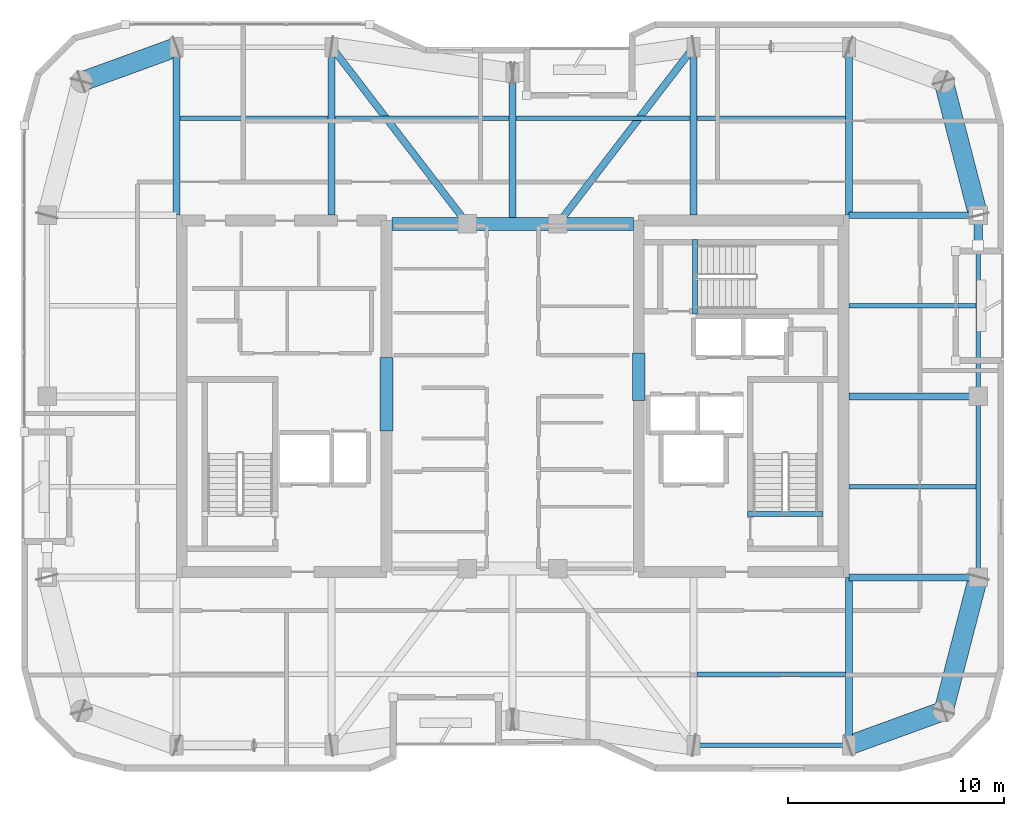
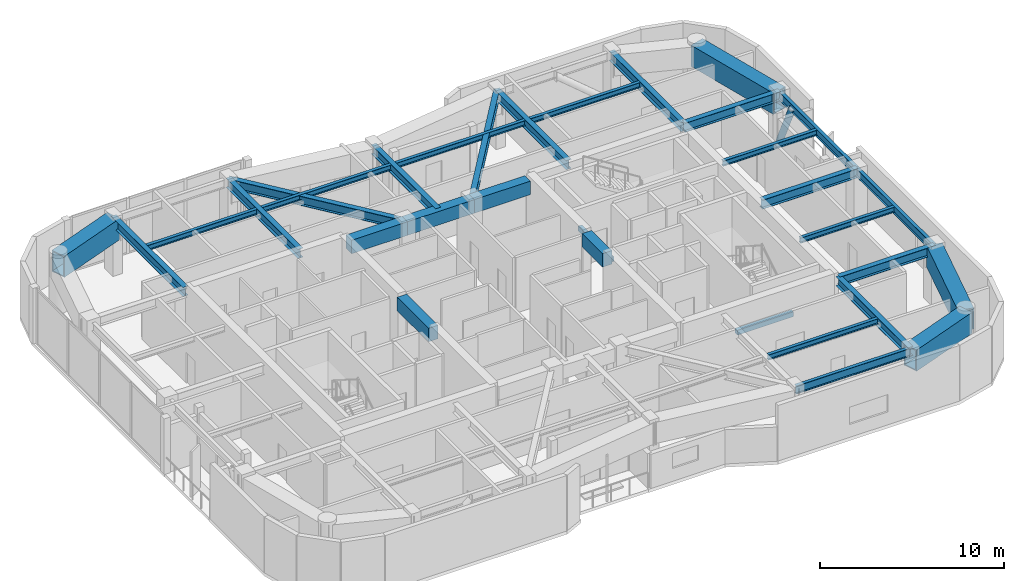
# One storey, part 5 of 16: 32 beams, 1 member.
"""IFC4 building model written with IfcOpenShell, lengths in metres."""

from ifc_helpers import new_model, si_unit, direction, frame, origin, origin_2d, place, context, subcontext, project, spatial, rectangle, hollow_rectangle, hollow_circle, i_section, extrude, material, material_profile, profile_set, type_object, element, save


model = new_model("IFC4")

# Units and contexts
model_context = context("Model", 3, precision=1e-05, world=origin(), true_north=direction((0.0, 1.0)))
body_context = subcontext(model_context, "Body", "Model", "MODEL_VIEW")
ifc_project = project(units=[si_unit("LENGTHUNIT", "METRE"), si_unit("AREAUNIT", "SQUARE_METRE"), si_unit("VOLUMEUNIT", "CUBIC_METRE"), si_unit("PLANEANGLEUNIT", "RADIAN"), si_unit("MASSUNIT", "GRAM", prefix="KILO")], contexts=[model_context])

# Site, building, storey
site_placement = place(None, origin())
site = spatial("IfcSite", under=ifc_project, at=site_placement, CompositionType="ELEMENT")
building_placement = place(site_placement, origin())
building = spatial("IfcBuilding", under=site, at=building_placement, Name="Kiyonajd Concourse Tower", CompositionType="ELEMENT")
storey_placement = place(building_placement, frame((0.0, 0.0, 325.800048828125)))
storey = spatial("IfcBuildingStorey", under=building, at=storey_placement, Name="L82", CompositionType="ELEMENT", Elevation=325.800048828125)

# Beams
ifc_material_1 = material(Name="Concrete C60/75", Category="concrete")
ifc_material_profile_1 = material_profile(ifc_material_1, rectangle(XDim=0.60009765625, YDim=0.89990234375, at=origin_2d()), Name="RCBM-600x900")
ifc_profile_set_1 = profile_set([ifc_material_profile_1], Name="Concrete C60/75")
beam_type_1 = type_object("IfcBeamType", Name="BM-COUP-900", PredefinedType="LINTEL", material=ifc_profile_set_1)
beam_1_placement = place(storey_placement, frame((42.39990234375, 44.0, 3.22998046875), z_axis=(1.0, 0.0, 0.0), x_axis=(0.0, 1.0, 0.0)))
element("IfcBeam", 1, at=beam_1_placement, inside=storey, type_object=beam_type_1, Name="L82 Core Coupling Beam N1", PredefinedType="LINTEL", context=body_context, shape_type="SweptSolid", body=[
    extrude(rectangle(XDim=0.60009765625, YDim=0.89990234375, at=origin_2d()), origin(), (0.0, 0.0, 1.0), 3.5),
])
beam_2_placement = place(storey_placement, frame((45.89990234375, 44.0, 3.22998046875), z_axis=(1.0, 0.0, 0.0), x_axis=(0.0, 1.0, 0.0)))
element("IfcBeam", 2, at=beam_2_placement, inside=storey, type_object=beam_type_1, Name="L82 Core Coupling Beam N2", PredefinedType="LINTEL", context=body_context, shape_type="SweptSolid", body=[
    extrude(rectangle(XDim=0.60009765625, YDim=0.89990234375, at=origin_2d()), origin(), (0.0, 0.0, 1.0), 4.2001953125),
])
beam_3_placement = place(storey_placement, frame((50.10009765625, 44.0, 3.22998046875), z_axis=(1.0, 0.0, 0.0), x_axis=(0.0, 1.0, 0.0)))
element("IfcBeam", 3, at=beam_3_placement, inside=storey, type_object=beam_type_1, Name="L82 Core Coupling Beam N3", PredefinedType="LINTEL", context=body_context, shape_type="SweptSolid", body=[
    extrude(rectangle(XDim=0.60009765625, YDim=0.89990234375, at=origin_2d()), origin(), (0.0, 0.0, 1.0), 3.5),
])
beam_4_placement = place(storey_placement, frame((42.14990234375, 34.39990234375, 3.22998046875), z_axis=(0.0, 1.0, 0.0), x_axis=(-1.0, 0.0, 0.0)))
element("IfcBeam", 4, at=beam_4_placement, inside=storey, type_object=beam_type_1, Name="L82 West Core Throat Coupling Lintel", PredefinedType="LINTEL", context=body_context, shape_type="SweptSolid", body=[
    extrude(rectangle(XDim=0.60009765625, YDim=0.89990234375, at=origin_2d()), origin(), (0.0, 0.0, 1.0), 3.400146484375),
])
beam_5_placement = place(storey_placement, frame((53.85009765625, 35.800048828125, 3.22998046875), z_axis=(0.0, 1.0, 0.0), x_axis=(-1.0, 0.0, 0.0)))
element("IfcBeam", 5, at=beam_5_placement, inside=storey, type_object=beam_type_1, Name="L82 East Core Throat Coupling Lintel", PredefinedType="LINTEL", context=body_context, shape_type="SweptSolid", body=[
    extrude(rectangle(XDim=0.60009765625, YDim=0.89990234375, at=origin_2d()), origin(), (0.0, 0.0, 1.0), 2.199951171875),
])
ifc_material_2 = material(Name="Steel ASTM A992 Grade 50", Category="steel")
ifc_material_profile_2 = material_profile(ifc_material_2, i_section(OverallWidth=0.205078125, OverallDepth=0.35400390625, WebThickness=0.009521484375, FlangeThickness=0.016845703125, at=origin_2d()), Name="W360X79")
ifc_profile_set_2 = profile_set([ifc_material_profile_2], Name="Steel ASTM A992 Grade 50")
beam_type_2 = type_object("IfcBeamType", Name="BM-JST-360", PredefinedType="JOIST", material=ifc_profile_set_2)
for number, where, z_axis, x_axis, name in (
    (6, (56.56201171875, 23.10009765625, 3.5029296875), (1.0, 0.0, 0.0), (0.0, 1.0, 0.0), "L82 Secondary Floor Joist"),
    (7, (32.56201171875, 48.89990234375, 3.5029296875), (1.0, 0.0, 0.0), (0.0, 1.0, 0.0), "L82 Secondary Floor Joist"),
):
    element("IfcBeam", number, at=place(storey_placement, frame(where, z_axis=z_axis, x_axis=x_axis)), inside=storey, type_object=beam_type_2, Name=name, PredefinedType="JOIST", context=body_context, shape_type="SweptSolid", body=[
        extrude(i_section(OverallWidth=0.205078125, OverallDepth=0.35400390625, WebThickness=0.009521484375, FlangeThickness=0.016845703125, at=origin_2d()), origin(), (0.0, 0.0, 1.0), 6.8759765625),
    ])
for number, where, z_axis, x_axis, name in (
    (8, (39.761962890625, 48.89990234375, 3.5029296875), (1.0, 0.0, 0.0), (0.0, 1.0, 0.0), "L82 Secondary Floor Joist"),
    (9, (48.162109375, 48.89990234375, 3.5029296875), (1.0, 0.0, 0.0), (0.0, 1.0, 0.0), "L82 Secondary Floor Joist"),
):
    element("IfcBeam", number, at=place(storey_placement, frame(where, z_axis=z_axis, x_axis=x_axis)), inside=storey, type_object=beam_type_2, Name=name, PredefinedType="JOIST", context=body_context, shape_type="SweptSolid", body=[
        extrude(i_section(OverallWidth=0.205078125, OverallDepth=0.35400390625, WebThickness=0.009521484375, FlangeThickness=0.016845703125, at=origin_2d()), origin(), (0.0, 0.0, 1.0), 8.075927734375),
    ])
beam_6_placement = place(storey_placement, frame((56.56201171875, 48.89990234375, 3.5029296875), z_axis=(1.0, 0.0, 0.0), x_axis=(0.0, 1.0, 0.0)))
element("IfcBeam", 10, at=beam_6_placement, inside=storey, type_object=beam_type_2, Name="L82 Secondary Floor Joist", PredefinedType="JOIST", context=body_context, shape_type="SweptSolid", body=[
    extrude(i_section(OverallWidth=0.205078125, OverallDepth=0.35400390625, WebThickness=0.009521484375, FlangeThickness=0.016845703125, at=origin_2d()), origin(), (0.0, 0.0, 1.0), 6.8759765625),
])
for number, where, z_axis, x_axis, name in (
    (11, (63.60009765625, 31.800048828125, 3.5029296875), (1.0, 0.0, 0.0), (0.0, 1.0, 0.0), "L82 East Secondary Floor Joist"),
    (12, (63.60009765625, 40.199951171875, 3.5029296875), (1.0, 0.0, 0.0), (0.0, 1.0, 0.0), "L82 East Secondary Floor Joist"),
):
    element("IfcBeam", number, at=place(storey_placement, frame(where, z_axis=z_axis, x_axis=x_axis)), inside=storey, type_object=beam_type_2, Name=name, PredefinedType="JOIST", context=body_context, shape_type="SweptSolid", body=[
        extrude(i_section(OverallWidth=0.205078125, OverallDepth=0.35400390625, WebThickness=0.009521484375, FlangeThickness=0.016845703125, at=origin_2d()), origin(), (0.0, 0.0, 1.0), 5.894287109375),
    ])
ifc_material_3 = material(Name="Concrete C50/60", Category="concrete")
ifc_material_profile_3 = material_profile(ifc_material_3, rectangle(XDim=0.239990234375, YDim=0.320068359375, at=origin_2d()), Name="RCBM-240x320")
ifc_profile_set_3 = profile_set([ifc_material_profile_3], Name="Concrete C50/60")
beam_type_3 = type_object("IfcBeamType", Name="BM-LNT-250", PredefinedType="LINTEL", material=ifc_profile_set_3)
beam_7_placement = place(storey_placement, frame((58.889892578125, 30.530029296875, -0.16015625), z_axis=(1.0, 0.0, 0.0), x_axis=(0.0, 1.0, 0.0)))
element("IfcBeam", 13, at=beam_7_placement, inside=storey, type_object=beam_type_3, Name="L82 Stair ST2 Threshold Support Beam", PredefinedType="LINTEL", context=body_context, shape_type="SweptSolid", body=[
    extrude(rectangle(XDim=0.239990234375, YDim=0.320068359375, at=origin_2d()), origin(), (0.0, 0.0, 1.0), 3.52001953125),
])
beam_8_placement = place(storey_placement, frame((56.4599609375, 39.820068359375, -0.16015625), z_axis=(0.0, 1.0, 0.0), x_axis=(-1.0, 0.0, 0.0)))
element("IfcBeam", 14, at=beam_8_placement, inside=storey, type_object=beam_type_3, Name="L82 Stair ST3 Threshold Support Beam", PredefinedType="LINTEL", context=body_context, shape_type="SweptSolid", body=[
    extrude(rectangle(XDim=0.239990234375, YDim=0.320068359375, at=origin_2d()), origin(), (0.0, 0.0, 1.0), 3.4599609375),
])
ifc_material_profile_4 = material_profile(ifc_material_2, i_section(OverallWidth=0.2109375, OverallDepth=0.5390625, WebThickness=0.01171875, FlangeThickness=0.018798828125, at=origin_2d()), Name="W530X109")
ifc_profile_set_4 = profile_set([ifc_material_profile_4], Name="Steel ASTM A992 Grade 50")
beam_type_4 = type_object("IfcBeamType", Name="BM-SPAN-530B", PredefinedType="SPANDREL", material=ifc_profile_set_4)
beam_9_placement = place(storey_placement, frame((56.39990234375, 19.800048828125, 3.410400390625), z_axis=(1.0, 0.0, 0.0), x_axis=(0.0, 1.0, 0.0)))
element("IfcBeam", 15, at=beam_9_placement, inside=storey, type_object=beam_type_4, Name="L82 Perimeter Bundled Tube Spandrel", PredefinedType="SPANDREL", context=body_context, shape_type="SweptSolid", body=[
    extrude(i_section(OverallWidth=0.2109375, OverallDepth=0.5390625, WebThickness=0.01171875, FlangeThickness=0.018798828125, at=origin_2d()), origin(), (0.0, 0.0, 1.0), 7.2001953125),
])
for number, where, z_axis, x_axis, name in (
    (16, (69.60009765625, 27.60009765625, 3.410400390625), (0.0, 1.0, 0.0), (-1.0, 0.0, 0.0), "L82 Perimeter Bundled Tube Spandrel"),
    (17, (69.60009765625, 36.0, 3.410400390625), (0.0, 1.0, 0.0), (-1.0, 0.0, 0.0), "L82 Perimeter Bundled Tube Spandrel"),
):
    element("IfcBeam", number, at=place(storey_placement, frame(where, z_axis=z_axis, x_axis=x_axis)), inside=storey, type_object=beam_type_4, Name=name, PredefinedType="SPANDREL", context=body_context, shape_type="SweptSolid", body=[
        extrude(i_section(OverallWidth=0.2109375, OverallDepth=0.5390625, WebThickness=0.01171875, FlangeThickness=0.018798828125, at=origin_2d()), origin(), (0.0, 0.0, 1.0), 8.39990234375),
    ])
ifc_material_profile_5 = material_profile(ifc_material_2, i_section(OverallWidth=0.326904296875, OverallDepth=0.6220703125, WebThickness=0.015380859375, FlangeThickness=0.0244140625, at=origin_2d()), Name="W610X195")
ifc_profile_set_5 = profile_set([ifc_material_profile_5], Name="Steel ASTM A992 Grade 50")
beam_type_5 = type_object("IfcBeamType", Name="BM-TWR-610A", PredefinedType="BEAM", material=ifc_profile_set_5)
for number, where, z_axis, x_axis, name in (
    (18, (39.60009765625, 52.199951171875, 3.368896484375), (0.609233709922, -0.792990722956, 0.0), (0.792990722956, 0.609233709922, 0.0), "L82 Core Tie Girder"),
    (19, (50.10009765625, 44.0, 3.368896484375), (0.609233709922, 0.792990722956, 0.0), (-0.792990722956, 0.609233709922, 0.0), "L82 Core Tie Girder"),
):
    element("IfcBeam", number, at=place(storey_placement, frame(where, z_axis=z_axis, x_axis=x_axis)), inside=storey, type_object=beam_type_5, Name=name, PredefinedType="BEAM", context=body_context, shape_type="SweptSolid", body=[
        extrude(i_section(OverallWidth=0.326904296875, OverallDepth=0.6220703125, WebThickness=0.015380859375, FlangeThickness=0.0244140625, at=origin_2d()), origin(), (0.0, 0.0, 1.0), 10.340576171875),
    ])
ifc_material_profile_6 = material_profile(ifc_material_2, i_section(OverallWidth=0.323974609375, OverallDepth=0.611083984375, WebThickness=0.0126953125, FlangeThickness=0.01904296875, at=origin_2d()), Name="W610X155")
ifc_profile_set_6 = profile_set([ifc_material_profile_6], Name="Steel ASTM A992 Grade 50")
beam_type_6 = type_object("IfcBeamType", Name="BM-TWR-610B", PredefinedType="BEAM", material=ifc_profile_set_6)
for number, where, z_axis, x_axis, name in (
    (20, (32.39990234375, 44.39990234375, 3.37451171875), (0.0, 1.0, 0.0), (-1.0, 0.0, 0.0), "L82 North Lease Girder"),
    (21, (39.60009765625, 44.39990234375, 3.37451171875), (0.0, 1.0, 0.0), (-1.0, 0.0, 0.0), "L82 North Lease Girder"),
    (22, (56.39990234375, 44.39990234375, 3.37451171875), (0.0, 1.0, 0.0), (-1.0, 0.0, 0.0), "L82 North Lease Girder"),
    (23, (63.60009765625, 19.800048828125, 3.37451171875), (0.0, 1.0, 0.0), (-1.0, 0.0, 0.0), "L82 South Lease Girder"),
    (24, (63.60009765625, 44.39990234375, 3.37451171875), (0.0, 1.0, 0.0), (-1.0, 0.0, 0.0), "L82 North Lease Girder"),
):
    element("IfcBeam", number, at=place(storey_placement, frame(where, z_axis=z_axis, x_axis=x_axis)), inside=storey, type_object=beam_type_6, Name=name, PredefinedType="BEAM", context=body_context, shape_type="SweptSolid", body=[
        extrude(i_section(OverallWidth=0.323974609375, OverallDepth=0.611083984375, WebThickness=0.0126953125, FlangeThickness=0.01904296875, at=origin_2d()), origin(), (0.0, 0.0, 1.0), 7.800048828125),
    ])
beam_10_placement = place(storey_placement, frame((48.0, 44.0, 3.37451171875), z_axis=(0.0, 1.0, 0.0), x_axis=(-1.0, 0.0, 0.0)))
element("IfcBeam", 25, at=beam_10_placement, inside=storey, type_object=beam_type_6, Name="L82 North Ribbon Girder", PredefinedType="BEAM", context=body_context, shape_type="SweptSolid", body=[
    extrude(i_section(OverallWidth=0.323974609375, OverallDepth=0.611083984375, WebThickness=0.0126953125, FlangeThickness=0.01904296875, at=origin_2d()), origin(), (0.0, 0.0, 1.0), 7.0),
])
for number, where, z_axis, x_axis, name in (
    (26, (63.60009765625, 27.60009765625, 3.37451171875), (1.0, 0.0, 0.0), (0.0, 1.0, 0.0), "L82 East Lease Girder"),
    (27, (63.60009765625, 36.0, 3.37451171875), (1.0, 0.0, 0.0), (0.0, 1.0, 0.0), "L82 East Lease Girder"),
    (28, (63.60009765625, 44.39990234375, 3.37451171875), (1.0, 0.0, 0.0), (0.0, 1.0, 0.0), "L82 East Lease Girder"),
):
    element("IfcBeam", number, at=place(storey_placement, frame(where, z_axis=z_axis, x_axis=x_axis)), inside=storey, type_object=beam_type_6, Name=name, PredefinedType="BEAM", context=body_context, shape_type="SweptSolid", body=[
        extrude(i_section(OverallWidth=0.323974609375, OverallDepth=0.611083984375, WebThickness=0.0126953125, FlangeThickness=0.01904296875, at=origin_2d()), origin(), (0.0, 0.0, 1.0), 6.0),
    ])
ifc_material_4 = material(Name="Steel ASTM A572 Grade 50", Category="steel")
ifc_material_profile_7 = material_profile(ifc_material_4, hollow_rectangle(XDim=0.89990234375, YDim=1.39990234375, WallThickness=0.070068359375, at=origin_2d()), Name="BOX-1400x900x70")
ifc_profile_set_7 = profile_set([ifc_material_profile_7], Name="Steel ASTM A572 Grade 50")
beam_type_7 = type_object("IfcBeamType", Name="BM-XFER-1400", PredefinedType="BEAM", material=ifc_profile_set_7)
beam_11_placement = place(storey_placement, frame((63.60009765625, 19.800048828125, 2.97998046875), z_axis=(0.939801036019, 0.341722127901, 0.0), x_axis=(-0.341722127901, 0.939801036019, 0.0)))
element("IfcBeam", 29, at=beam_11_placement, inside=storey, type_object=beam_type_7, Name="L82 Perimeter Bundled Tube Spandrel", PredefinedType="BEAM", context=body_context, shape_type="SweptSolid", body=[
    extrude(hollow_rectangle(XDim=0.89990234375, YDim=1.39990234375, WallThickness=0.070068359375, at=origin_2d()), origin(), (0.0, 0.0, 1.0), 4.681640625),
])
for number, where, z_axis, x_axis, name in (
    (30, (68.0, 21.39990234375, 2.97998046875), (0.249884937687, 0.968275538221, 0.0), (-0.968275538221, 0.249884937687, 0.0), "L82 Perimeter Bundled Tube Spandrel"),
    (31, (69.60009765625, 44.39990234375, 2.97998046875), (-0.249884937687, 0.968275538221, 0.0), (-0.968275538221, -0.249884937687, 0.0), "L82 Perimeter Bundled Tube Spandrel"),
):
    element("IfcBeam", number, at=place(storey_placement, frame(where, z_axis=z_axis, x_axis=x_axis)), inside=storey, type_object=beam_type_7, Name=name, PredefinedType="BEAM", context=body_context, shape_type="SweptSolid", body=[
        extrude(hollow_rectangle(XDim=0.89990234375, YDim=1.39990234375, WallThickness=0.070068359375, at=origin_2d()), origin(), (0.0, 0.0, 1.0), 6.4033203125),
    ])
beam_12_placement = place(storey_placement, frame((32.39990234375, 52.199951171875, 2.97998046875), z_axis=(-0.939801036019, -0.341722127901, 0.0), x_axis=(0.341722127901, -0.939801036019, 0.0)))
element("IfcBeam", 32, at=beam_12_placement, inside=storey, type_object=beam_type_7, Name="L82 Perimeter Bundled Tube Spandrel", PredefinedType="BEAM", context=body_context, shape_type="SweptSolid", body=[
    extrude(hollow_rectangle(XDim=0.89990234375, YDim=1.39990234375, WallThickness=0.070068359375, at=origin_2d()), origin(), (0.0, 0.0, 1.0), 4.681640625),
])

# Member
ifc_material_5 = material(Name="Steel ASTM A500 Grade C", Category="steel")
ifc_material_profile_8 = material_profile(ifc_material_5, hollow_circle(Radius=0.202880859375, WallThickness=0.01904296875, at=origin_2d()), Name="CHS-406x19")
ifc_profile_set_8 = profile_set([ifc_material_profile_8], Name="Steel ASTM A500 Grade C")
member_type = type_object("IfcMemberType", Name="MB-PB-HIGH", PredefinedType="BRACE", material=ifc_profile_set_8)
member_placement = place(storey_placement, frame((69.60009765625, 44.39990234375, 0.300048828125), z_axis=(0.0, -0.419438517439, 0.907783746323), x_axis=(1.0, 0.0, 0.0)))
element("IfcMember", 33, at=member_placement, inside=storey, type_object=member_type, Name="L82 Upper Zone Hollow Tube Brace PBE", PredefinedType="BRACE", context=body_context, shape_type="SweptSolid", body=[
    extrude(hollow_circle(Radius=0.202880859375, WallThickness=0.01904296875, at=origin_2d()), origin(), (0.0, 0.0, 1.0), 3.337646484375),
])

save(model, "model.ifc")
